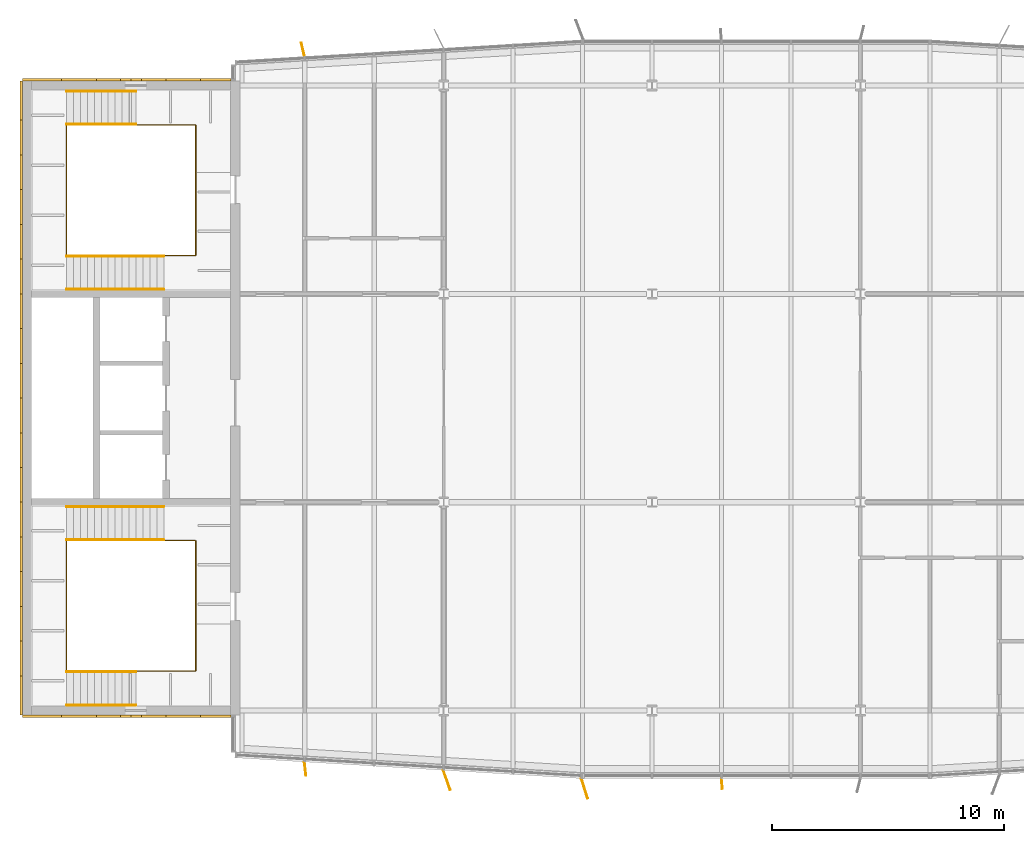
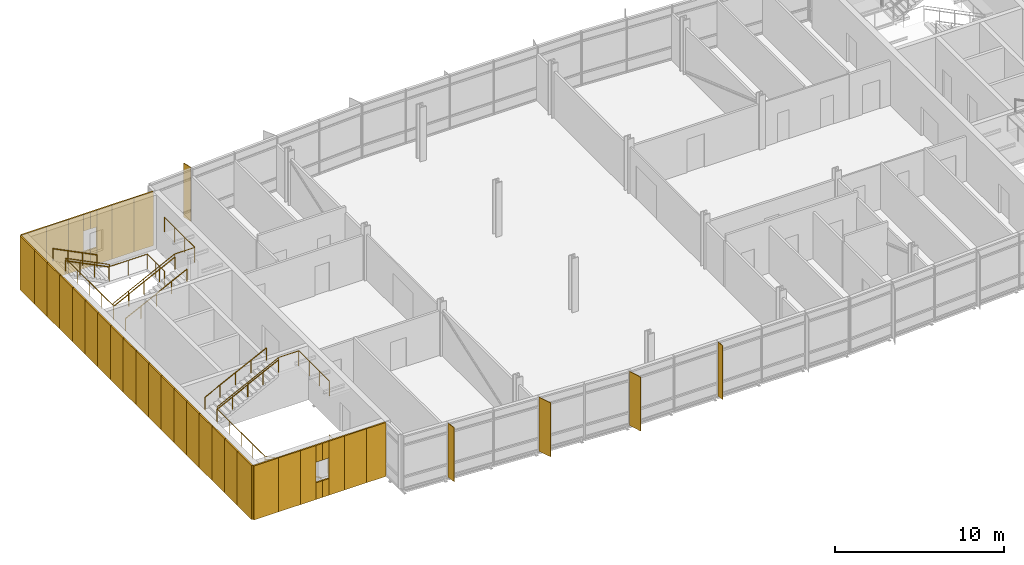
# One storey, part 19 of 21: 38 coverings, 10 railings, 5 shading devices.
"""IFC4 building model written with IfcOpenShell, lengths in metres."""

from ifc_helpers import new_model, si_unit, direction, frame, origin, origin_2d, place, context, subcontext, project, spatial, rectangle, circle, extrude, material, layer, layer_set, type_object, element, save


model = new_model("IFC4")

# Units and contexts
model_context = context("Model", 3, precision=1e-05, world=origin(), true_north=direction((0.0, 1.0)))
body_context = subcontext(model_context, "Body", "Model", "MODEL_VIEW")
ifc_project = project(units=[si_unit("LENGTHUNIT", "METRE"), si_unit("AREAUNIT", "SQUARE_METRE"), si_unit("VOLUMEUNIT", "CUBIC_METRE"), si_unit("PLANEANGLEUNIT", "RADIAN"), si_unit("MASSUNIT", "GRAM", prefix="KILO")], contexts=[model_context])

# Site, building, storey
site_placement = place(None, origin())
site = spatial("IfcSite", under=ifc_project, at=site_placement, CompositionType="ELEMENT")
building_placement = place(site_placement, origin())
building = spatial("IfcBuilding", under=site, at=building_placement, Name="Azimuth Sports and Learning Centre", CompositionType="ELEMENT")
storey_placement = place(building_placement, frame((0.0, 0.0, 32.39990234375)))
storey = spatial("IfcBuildingStorey", under=building, at=storey_placement, Name="L06", CompositionType="ELEMENT", Elevation=32.39990234375)

# Coverings
ifc_material_1 = material(Name="Cladding panel")
ifc_layer_1 = layer(ifc_material_1, 0.10009765625)
ifc_layer_set_1 = layer_set([ifc_layer_1], Name="Cladding panel")
covering_type = type_object("IfcCoveringType", Name="Cladding panel 100", PredefinedType="CLADDING", material=ifc_layer_set_1)
covering_1_placement = place(storey_placement, frame((54.64990234375, 89.75, 0.000244140625), z_axis=(0.0, 0.0, 1.0), x_axis=(1.0, 0.0, 0.0)))
element("IfcCovering", 1, at=covering_1_placement, inside=storey, type_object=covering_type, Name="Cladding panel S-CORE W L06 1", PredefinedType="CLADDING", context=body_context, shape_type="SweptSolid", body=[
    extrude(rectangle(XDim=1.699951171875, YDim=0.10009765625, at=origin_2d()), origin(), (0.0, 0.0, 1.0), 3.89990234375),
])
covering_2_placement = place(storey_placement, frame((56.25, 89.75, 0.000244140625), z_axis=(0.0, 0.0, 1.0), x_axis=(1.0, 0.0, 0.0)))
element("IfcCovering", 2, at=covering_2_placement, inside=storey, type_object=covering_type, Name="Cladding panel S-CORE W L06 2", PredefinedType="CLADDING", context=body_context, shape_type="SweptSolid", body=[
    extrude(rectangle(XDim=1.5, YDim=0.10009765625, at=origin_2d()), origin(), (0.0, 0.0, 1.0), 3.89990234375),
])
covering_3_placement = place(storey_placement, frame((57.52490234375, 89.75, 0.000244140625), z_axis=(0.0, 0.0, 1.0), x_axis=(1.0, 0.0, 0.0)))
element("IfcCovering", 3, at=covering_3_placement, inside=storey, type_object=covering_type, Name="Cladding panel S-CORE W L06 3", PredefinedType="CLADDING", context=body_context, shape_type="SweptSolid", body=[
    extrude(rectangle(XDim=1.050048828125, YDim=0.10009765625, at=origin_2d()), origin(), (0.0, 0.0, 1.0), 3.89990234375),
])
for number, where, z_axis, x_axis, name in (
    (4, (58.27490234375, 89.75, 0.0), (0.0, 0.0, 1.0), (1.0, 0.0, 0.0), "Cladding panel S-CORE W L06 4"),
    (5, (58.27490234375, 89.75, 2.7001953125), (0.0, 0.0, 1.0), (1.0, 0.0, 0.0), "Cladding panel S-CORE W L06 5"),
):
    element("IfcCovering", number, at=place(storey_placement, frame(where, z_axis=z_axis, x_axis=x_axis)), inside=storey, type_object=covering_type, Name=name, PredefinedType="CLADDING", context=body_context, shape_type="SweptSolid", body=[
        extrude(rectangle(XDim=0.449951171875, YDim=0.10009765625, at=origin_2d()), origin(), (0.0, 0.0, 1.0), 1.199951171875),
    ])
covering_4_placement = place(storey_placement, frame((59.47509765625, 89.75, 0.000244140625), z_axis=(0.0, 0.0, 1.0), x_axis=(1.0, 0.0, 0.0)))
element("IfcCovering", 6, at=covering_4_placement, inside=storey, type_object=covering_type, Name="Cladding panel S-CORE W L06 6", PredefinedType="CLADDING", context=body_context, shape_type="SweptSolid", body=[
    extrude(rectangle(XDim=1.050048828125, YDim=0.10009765625, at=origin_2d()), origin(), (0.0, 0.0, 1.0), 3.89990234375),
])
for number, where, z_axis, x_axis, name in (
    (7, (58.72509765625, 89.75, 0.0), (0.0, 0.0, 1.0), (1.0, 0.0, 0.0), "Cladding panel S-CORE W L06 7"),
    (8, (58.72509765625, 89.75, 2.7001953125), (0.0, 0.0, 1.0), (1.0, 0.0, 0.0), "Cladding panel S-CORE W L06 8"),
):
    element("IfcCovering", number, at=place(storey_placement, frame(where, z_axis=z_axis, x_axis=x_axis)), inside=storey, type_object=covering_type, Name=name, PredefinedType="CLADDING", context=body_context, shape_type="SweptSolid", body=[
        extrude(rectangle(XDim=0.449951171875, YDim=0.10009765625, at=origin_2d()), origin(), (0.0, 0.0, 1.0), 1.199951171875),
    ])
covering_5_placement = place(storey_placement, frame((60.75, 89.75, 0.000244140625), z_axis=(0.0, 0.0, 1.0), x_axis=(1.0, 0.0, 0.0)))
element("IfcCovering", 9, at=covering_5_placement, inside=storey, type_object=covering_type, Name="Cladding panel S-CORE W L06 9", PredefinedType="CLADDING", context=body_context, shape_type="SweptSolid", body=[
    extrude(rectangle(XDim=1.5, YDim=0.10009765625, at=origin_2d()), origin(), (0.0, 0.0, 1.0), 3.89990234375),
])
for number, where, z_axis, x_axis, name in (
    (10, (62.159912109375, 89.75, 0.000244140625), (0.0, 0.0, 1.0), (1.0, 0.0, 0.0), "Cladding panel S-CORE W L06 10"),
    (11, (62.159912109375, 117.25, 0.000244140625), (0.0, 0.0, 1.0), (-1.0, 0.0, 0.0), "Cladding panel N-CORE W L06 1"),
):
    element("IfcCovering", number, at=place(storey_placement, frame(where, z_axis=z_axis, x_axis=x_axis)), inside=storey, type_object=covering_type, Name=name, PredefinedType="CLADDING", context=body_context, shape_type="SweptSolid", body=[
        extrude(rectangle(XDim=1.320068359375, YDim=0.10009765625, at=origin_2d()), origin(), (0.0, 0.0, 1.0), 3.89990234375),
    ])
covering_6_placement = place(storey_placement, frame((60.75, 117.25, 0.000244140625), z_axis=(0.0, 0.0, 1.0), x_axis=(-1.0, 0.0, 0.0)))
element("IfcCovering", 12, at=covering_6_placement, inside=storey, type_object=covering_type, Name="Cladding panel N-CORE W L06 2", PredefinedType="CLADDING", context=body_context, shape_type="SweptSolid", body=[
    extrude(rectangle(XDim=1.5, YDim=0.10009765625, at=origin_2d()), origin(), (0.0, 0.0, 1.0), 3.89990234375),
])
covering_7_placement = place(storey_placement, frame((59.47509765625, 117.25, 0.000244140625), z_axis=(0.0, 0.0, 1.0), x_axis=(-1.0, 0.0, 0.0)))
element("IfcCovering", 13, at=covering_7_placement, inside=storey, type_object=covering_type, Name="Cladding panel N-CORE W L06 3", PredefinedType="CLADDING", context=body_context, shape_type="SweptSolid", body=[
    extrude(rectangle(XDim=1.050048828125, YDim=0.10009765625, at=origin_2d()), origin(), (0.0, 0.0, 1.0), 3.89990234375),
])
for number, where, z_axis, x_axis, name in (
    (14, (58.72509765625, 117.25, 0.0), (0.0, 0.0, 1.0), (-1.0, 0.0, 0.0), "Cladding panel N-CORE W L06 4"),
    (15, (58.72509765625, 117.25, 2.7001953125), (0.0, 0.0, 1.0), (-1.0, 0.0, 0.0), "Cladding panel N-CORE W L06 5"),
):
    element("IfcCovering", number, at=place(storey_placement, frame(where, z_axis=z_axis, x_axis=x_axis)), inside=storey, type_object=covering_type, Name=name, PredefinedType="CLADDING", context=body_context, shape_type="SweptSolid", body=[
        extrude(rectangle(XDim=0.449951171875, YDim=0.10009765625, at=origin_2d()), origin(), (0.0, 0.0, 1.0), 1.199951171875),
    ])
covering_8_placement = place(storey_placement, frame((57.52490234375, 117.25, 0.000244140625), z_axis=(0.0, 0.0, 1.0), x_axis=(-1.0, 0.0, 0.0)))
element("IfcCovering", 16, at=covering_8_placement, inside=storey, type_object=covering_type, Name="Cladding panel N-CORE W L06 6", PredefinedType="CLADDING", context=body_context, shape_type="SweptSolid", body=[
    extrude(rectangle(XDim=1.050048828125, YDim=0.10009765625, at=origin_2d()), origin(), (0.0, 0.0, 1.0), 3.89990234375),
])
for number, where, z_axis, x_axis, name in (
    (17, (58.27490234375, 117.25, 0.0), (0.0, 0.0, 1.0), (-1.0, 0.0, 0.0), "Cladding panel N-CORE W L06 7"),
    (18, (58.27490234375, 117.25, 2.7001953125), (0.0, 0.0, 1.0), (-1.0, 0.0, 0.0), "Cladding panel N-CORE W L06 8"),
):
    element("IfcCovering", number, at=place(storey_placement, frame(where, z_axis=z_axis, x_axis=x_axis)), inside=storey, type_object=covering_type, Name=name, PredefinedType="CLADDING", context=body_context, shape_type="SweptSolid", body=[
        extrude(rectangle(XDim=0.449951171875, YDim=0.10009765625, at=origin_2d()), origin(), (0.0, 0.0, 1.0), 1.199951171875),
    ])
covering_9_placement = place(storey_placement, frame((56.25, 117.25, 0.000244140625), z_axis=(0.0, 0.0, 1.0), x_axis=(-1.0, 0.0, 0.0)))
element("IfcCovering", 19, at=covering_9_placement, inside=storey, type_object=covering_type, Name="Cladding panel N-CORE W L06 9", PredefinedType="CLADDING", context=body_context, shape_type="SweptSolid", body=[
    extrude(rectangle(XDim=1.5, YDim=0.10009765625, at=origin_2d()), origin(), (0.0, 0.0, 1.0), 3.89990234375),
])
for number, where, z_axis, x_axis, name in (
    (20, (54.64990234375, 117.25, 0.000244140625), (0.0, 0.0, 1.0), (-1.0, 0.0, 0.0), "Cladding panel N-CORE W L06 10"),
    (21, (53.75, 116.35009765625, 0.000244140625), (0.0, 0.0, 1.0), (0.0, -1.0, 0.0), "Cladding panel W-CORE W L06 1"),
):
    element("IfcCovering", number, at=place(storey_placement, frame(where, z_axis=z_axis, x_axis=x_axis)), inside=storey, type_object=covering_type, Name=name, PredefinedType="CLADDING", context=body_context, shape_type="SweptSolid", body=[
        extrude(rectangle(XDim=1.699951171875, YDim=0.10009765625, at=origin_2d()), origin(), (0.0, 0.0, 1.0), 3.89990234375),
    ])
for number, where, z_axis, x_axis, name in (
    (22, (53.75, 114.75, 0.000244140625), (0.0, 0.0, 1.0), (0.0, -1.0, 0.0), "Cladding panel W-CORE W L06 2"),
    (23, (53.75, 113.25, 0.000244140625), (0.0, 0.0, 1.0), (0.0, -1.0, 0.0), "Cladding panel W-CORE W L06 3"),
    (24, (53.75, 111.75, 0.000244140625), (0.0, 0.0, 1.0), (0.0, -1.0, 0.0), "Cladding panel W-CORE W L06 4"),
    (25, (53.75, 110.25, 0.000244140625), (0.0, 0.0, 1.0), (0.0, -1.0, 0.0), "Cladding panel W-CORE W L06 5"),
    (26, (53.75, 108.75, 0.000244140625), (0.0, 0.0, 1.0), (0.0, -1.0, 0.0), "Cladding panel W-CORE W L06 6"),
    (27, (53.75, 107.25, 0.000244140625), (0.0, 0.0, 1.0), (0.0, -1.0, 0.0), "Cladding panel W-CORE W L06 7"),
    (28, (53.75, 105.75, 0.000244140625), (0.0, 0.0, 1.0), (0.0, -1.0, 0.0), "Cladding panel W-CORE W L06 8"),
    (29, (53.75, 104.25, 0.000244140625), (0.0, 0.0, 1.0), (0.0, -1.0, 0.0), "Cladding panel W-CORE W L06 9"),
    (30, (53.75, 102.75, 0.000244140625), (0.0, 0.0, 1.0), (0.0, -1.0, 0.0), "Cladding panel W-CORE W L06 10"),
    (31, (53.75, 101.25, 0.000244140625), (0.0, 0.0, 1.0), (0.0, -1.0, 0.0), "Cladding panel W-CORE W L06 11"),
    (32, (53.75, 99.75, 0.000244140625), (0.0, 0.0, 1.0), (0.0, -1.0, 0.0), "Cladding panel W-CORE W L06 12"),
    (33, (53.75, 98.25, 0.000244140625), (0.0, 0.0, 1.0), (0.0, -1.0, 0.0), "Cladding panel W-CORE W L06 13"),
    (34, (53.75, 96.75, 0.000244140625), (0.0, 0.0, 1.0), (0.0, -1.0, 0.0), "Cladding panel W-CORE W L06 14"),
    (35, (53.75, 95.25, 0.000244140625), (0.0, 0.0, 1.0), (0.0, -1.0, 0.0), "Cladding panel W-CORE W L06 15"),
    (36, (53.75, 93.75, 0.000244140625), (0.0, 0.0, 1.0), (0.0, -1.0, 0.0), "Cladding panel W-CORE W L06 16"),
    (37, (53.75, 92.25, 0.000244140625), (0.0, 0.0, 1.0), (0.0, -1.0, 0.0), "Cladding panel W-CORE W L06 17"),
):
    element("IfcCovering", number, at=place(storey_placement, frame(where, z_axis=z_axis, x_axis=x_axis)), inside=storey, type_object=covering_type, Name=name, PredefinedType="CLADDING", context=body_context, shape_type="SweptSolid", body=[
        extrude(rectangle(XDim=1.5, YDim=0.10009765625, at=origin_2d()), origin(), (0.0, 0.0, 1.0), 3.89990234375),
    ])
covering_10_placement = place(storey_placement, frame((53.75, 90.64990234375, 0.000244140625), z_axis=(0.0, 0.0, 1.0), x_axis=(0.0, -1.0, 0.0)))
element("IfcCovering", 38, at=covering_10_placement, inside=storey, type_object=covering_type, Name="Cladding panel W-CORE W L06 18", PredefinedType="CLADDING", context=body_context, shape_type="SweptSolid", body=[
    extrude(rectangle(XDim=1.699951171875, YDim=0.10009765625, at=origin_2d()), origin(), (0.0, 0.0, 1.0), 3.89990234375),
])

# Shading devices
ifc_material_2 = material(Name="Aluminium", Category="aluminium")
ifc_layer_2 = layer(ifc_material_2, 0.0400390625)
ifc_layer_set_2 = layer_set([ifc_layer_2], Name="Aluminium")
shading_device_type_1 = type_object("IfcShadingDeviceType", Name="Shading fin 450", PredefinedType="JALOUSIE", material=ifc_layer_set_2)
shading_device_placement = place(storey_placement, frame((84.01953125, 86.8359375, 0.000244140625), z_axis=(0.0, 0.0, 1.0), x_axis=(0.086979796274, -0.996210075757, 0.0)))
element("IfcShadingDevice", 39, at=shading_device_placement, inside=storey, type_object=shading_device_type_1, Name="Shading fin F06-004", PredefinedType="JALOUSIE", context=body_context, shape_type="SweptSolid", body=[
    extrude(rectangle(XDim=0.449951171875, YDim=0.0400390625, at=origin_2d()), origin(), (0.0, 0.0, 1.0), 3.89990234375),
])
ifc_material_3 = material(Name="Aluminium", Category="aluminium")
ifc_layer_3 = layer(ifc_material_3, 0.0400390625)
ifc_layer_set_3 = layer_set([ifc_layer_3], Name="Aluminium")
shading_device_type_2 = type_object("IfcShadingDeviceType", Name="Shading fin 600", PredefinedType="JALOUSIE", material=ifc_layer_set_3)
for number, where, z_axis, x_axis, name in (
    (40, (66.018798828125, 87.482177734375, 0.000244140625), (0.0, 0.0, 1.0), (0.110221187796, -0.993907083062, 0.0), "Shading fin F06-001"),
    (41, (65.920654296875, 118.5517578125, 0.000244140625), (0.0, 0.0, 1.0), (-0.228270881104, 0.973597660659, 0.0), "Shading fin F06-014"),
):
    element("IfcShadingDevice", number, at=place(storey_placement, frame(where, z_axis=z_axis, x_axis=x_axis)), inside=storey, type_object=shading_device_type_2, Name=name, PredefinedType="JALOUSIE", context=body_context, shape_type="SweptSolid", body=[
        extrude(rectangle(XDim=0.60009765625, YDim=0.0400390625, at=origin_2d()), origin(), (0.0, 0.0, 1.0), 3.89990234375),
    ])
ifc_material_4 = material(Name="Aluminium", Category="aluminium")
ifc_layer_4 = layer(ifc_material_4, 0.0400390625)
ifc_layer_set_4 = layer_set([ifc_layer_4], Name="Aluminium")
shading_device_type_3 = type_object("IfcShadingDeviceType", Name="Shading fin 900", PredefinedType="JALOUSIE", material=ifc_layer_set_4)
for number, where, z_axis, x_axis, name in (
    (42, (72.135009765625, 86.995849609375, 0.000244140625), (0.0, 0.0, 1.0), (0.332025201964, -0.94327051542, 0.0), "Shading fin F06-002"),
    (43, (78.0849609375, 86.633056640625, 0.000244140625), (0.0, 0.0, 1.0), (0.298224547315, -0.954495740891, 0.0), "Shading fin F06-003"),
):
    element("IfcShadingDevice", number, at=place(storey_placement, frame(where, z_axis=z_axis, x_axis=x_axis)), inside=storey, type_object=shading_device_type_3, Name=name, PredefinedType="JALOUSIE", context=body_context, shape_type="SweptSolid", body=[
        extrude(rectangle(XDim=0.89990234375, YDim=0.0400390625, at=origin_2d()), origin(), (0.0, 0.0, 1.0), 3.89990234375),
    ])

# Railings
ifc_material_5 = material(Name="Stainless steel", Category="steel")
railing_type_1 = type_object("IfcRailingType", Name="Stair guard 1100", PredefinedType="GUARDRAIL", material=ifc_material_5)
railing_1_placement = place(storey_placement, frame((61.2900390625, 93.75, 0.0)))
element("IfcRailing", 44, at=railing_1_placement, inside=storey, type_object=railing_type_1, Name="Guard W1 L06 well", PredefinedType="GUARDRAIL", context=body_context, shape_type="SweptSolid", body=[
    extrude(circle(Radius=0.02392578125, at=origin_2d()), frame((0.0, 0.0, 1.076171875), z_axis=(0.0, -1.0, 0.0), x_axis=(1.0, 0.0, 0.0)), (0.0, 0.0, 1.0), 2.0400390625),
    extrude(circle(Radius=0.02392578125, at=origin_2d()), frame((0.0, -2.0400390625, 1.076171875), z_axis=(-1.0, 0.0, 0.0), x_axis=(0.0, -1.0, 0.0)), (0.0, 0.0, 1.0), 2.580078125),
    extrude(circle(Radius=0.02392578125, at=origin_2d()), frame((-2.580078125, -2.0400390625, 1.076171875), z_axis=(0.0, 0.0, 1.0), x_axis=(1.0, 0.0, 0.0)), (0.0, 0.0, 1.0), 0.150146484375),
    extrude(circle(Radius=0.02392578125, at=origin_2d()), frame((-2.580078125, -2.0400390625, 1.22607421875), z_axis=(-0.894427191, 0.0, 0.4472135955), x_axis=(0.0, -1.0, 0.0)), (0.0, 0.0, 1.0), 3.35400390625),
    extrude(circle(Radius=0.02392578125, at=origin_2d()), frame((-5.580078125, -2.0400390625, 2.72607421875), z_axis=(0.0, 1.0, 0.0), x_axis=(-1.0, 0.0, 0.0)), (0.0, 0.0, 1.0), 5.630126953125),
    extrude(circle(Radius=0.02392578125, at=origin_2d()), frame((-5.580078125, 3.590087890625, 2.72607421875), z_axis=(0.0, 0.0, 1.0), x_axis=(1.0, 0.0, 0.0)), (0.0, 0.0, 1.0), 0.14990234375),
    extrude(circle(Radius=0.02392578125, at=origin_2d()), frame((-5.580078125, 3.590087890625, 2.8759765625), z_axis=(0.894416792377, 0.0, 0.447234392142), x_axis=(0.0, 1.0, 0.0)), (0.0, 0.0, 1.0), 4.69580078125),
    extrude(circle(Radius=0.02392578125, at=origin_2d()), frame((-1.380126953125, 3.590087890625, 4.97607421875), z_axis=(1.0, 0.0, 0.0), x_axis=(0.0, 1.0, 0.0)), (0.0, 0.0, 1.0), 1.380126953125),
    extrude(circle(Radius=0.02392578125, at=origin_2d()), frame((0.0, 3.590087890625, 4.97607421875), z_axis=(0.0, -1.0, 0.0), x_axis=(1.0, 0.0, 0.0)), (0.0, 0.0, 1.0), 3.590087890625),
    extrude(circle(Radius=0.01611328125, at=origin_2d()), origin(), (0.0, 0.0, 1.0), 1.052001953125),
    extrude(circle(Radius=0.01611328125, at=origin_2d()), frame((0.0, -1.02001953125, 0.0)), (0.0, 0.0, 1.0), 1.052001953125),
    extrude(circle(Radius=0.01611328125, at=origin_2d()), frame((0.0, -2.0400390625, 0.0)), (0.0, 0.0, 1.0), 1.052001953125),
    extrude(circle(Radius=0.01611328125, at=origin_2d()), frame((-1.2900390625, -2.0400390625, 0.0)), (0.0, 0.0, 1.0), 1.052001953125),
    extrude(circle(Radius=0.01611328125, at=origin_2d()), frame((-2.580078125, -2.0400390625, 0.0)), (0.0, 0.0, 1.0), 1.052001953125),
    extrude(circle(Radius=0.01611328125, at=origin_2d()), frame((-2.580078125, -2.0400390625, 0.150146484375)), (0.0, 0.0, 1.0), 1.052001953125),
    extrude(circle(Radius=0.01611328125, at=origin_2d()), frame((-3.580078125, -2.0400390625, 0.650146484375)), (0.0, 0.0, 1.0), 1.052001953125),
    extrude(circle(Radius=0.01611328125, at=origin_2d()), frame((-4.580078125, -2.0400390625, 1.150146484375)), (0.0, 0.0, 1.0), 1.052001953125),
    extrude(circle(Radius=0.01611328125, at=origin_2d()), frame((-5.580078125, -2.0400390625, 1.650146484375)), (0.0, 0.0, 1.0), 1.052001953125),
    extrude(circle(Radius=0.01611328125, at=origin_2d()), frame((-5.580078125, -0.632568359375, 1.650146484375)), (0.0, 0.0, 1.0), 1.052001953125),
    extrude(circle(Radius=0.01611328125, at=origin_2d()), frame((-5.580078125, 0.77490234375, 1.650146484375)), (0.0, 0.0, 1.0), 1.052001953125),
    extrude(circle(Radius=0.01611328125, at=origin_2d()), frame((-5.580078125, 2.1826171875, 1.650146484375)), (0.0, 0.0, 1.0), 1.052001953125),
    extrude(circle(Radius=0.01611328125, at=origin_2d()), frame((-5.580078125, 3.590087890625, 1.650146484375)), (0.0, 0.0, 1.0), 1.052001953125),
    extrude(circle(Radius=0.01611328125, at=origin_2d()), frame((-5.580078125, 3.590087890625, 1.800048828125)), (0.0, 0.0, 1.0), 1.052001953125),
    extrude(circle(Radius=0.01611328125, at=origin_2d()), frame((-4.530029296875, 3.590087890625, 2.3251953125)), (0.0, 0.0, 1.0), 1.052001953125),
    extrude(circle(Radius=0.01611328125, at=origin_2d()), frame((-3.47998046875, 3.590087890625, 2.85009765625)), (0.0, 0.0, 1.0), 1.052001953125),
    extrude(circle(Radius=0.01611328125, at=origin_2d()), frame((-2.43017578125, 3.590087890625, 3.375)), (0.0, 0.0, 1.0), 1.052001953125),
    extrude(circle(Radius=0.01611328125, at=origin_2d()), frame((-1.380126953125, 3.590087890625, 3.900146484375)), (0.0, 0.0, 1.0), 1.052001953125),
    extrude(circle(Radius=0.01611328125, at=origin_2d()), frame((0.0, 3.590087890625, 3.900146484375)), (0.0, 0.0, 1.0), 1.052001953125),
    extrude(circle(Radius=0.01611328125, at=origin_2d()), frame((0.0, 2.393310546875, 3.900146484375)), (0.0, 0.0, 1.0), 1.052001953125),
    extrude(circle(Radius=0.01611328125, at=origin_2d()), frame((0.0, 1.19677734375, 3.900146484375)), (0.0, 0.0, 1.0), 1.052001953125),
    extrude(circle(Radius=0.01611328125, at=origin_2d()), frame((0.0, 0.0, 3.900146484375)), (0.0, 0.0, 1.0), 1.052001953125),
])
railing_2_placement = place(storey_placement, frame((61.2900390625, 113.25, 0.0)))
element("IfcRailing", 45, at=railing_2_placement, inside=storey, type_object=railing_type_1, Name="Guard W2 L06 well", PredefinedType="GUARDRAIL", context=body_context, shape_type="SweptSolid", body=[
    extrude(circle(Radius=0.02392578125, at=origin_2d()), frame((0.0, 0.0, 1.076171875), z_axis=(0.0, 1.0, 0.0), x_axis=(-1.0, 0.0, 0.0)), (0.0, 0.0, 1.0), 2.0400390625),
    extrude(circle(Radius=0.02392578125, at=origin_2d()), frame((0.0, 2.0400390625, 1.076171875), z_axis=(-1.0, 0.0, 0.0), x_axis=(0.0, -1.0, 0.0)), (0.0, 0.0, 1.0), 2.580078125),
    extrude(circle(Radius=0.02392578125, at=origin_2d()), frame((-2.580078125, 2.0400390625, 1.076171875), z_axis=(0.0, 0.0, 1.0), x_axis=(1.0, 0.0, 0.0)), (0.0, 0.0, 1.0), 0.150146484375),
    extrude(circle(Radius=0.02392578125, at=origin_2d()), frame((-2.580078125, 2.0400390625, 1.22607421875), z_axis=(-0.894427191, 0.0, 0.4472135955), x_axis=(0.0, -1.0, 0.0)), (0.0, 0.0, 1.0), 3.35400390625),
    extrude(circle(Radius=0.02392578125, at=origin_2d()), frame((-5.580078125, 2.0400390625, 2.72607421875), z_axis=(0.0, -1.0, 0.0), x_axis=(1.0, 0.0, 0.0)), (0.0, 0.0, 1.0), 5.630126953125),
    extrude(circle(Radius=0.02392578125, at=origin_2d()), frame((-5.580078125, -3.590087890625, 2.72607421875), z_axis=(0.0, 0.0, 1.0), x_axis=(1.0, 0.0, 0.0)), (0.0, 0.0, 1.0), 0.14990234375),
    extrude(circle(Radius=0.02392578125, at=origin_2d()), frame((-5.580078125, -3.590087890625, 2.8759765625), z_axis=(0.894416792377, 0.0, 0.447234392142), x_axis=(0.0, 1.0, 0.0)), (0.0, 0.0, 1.0), 4.69580078125),
    extrude(circle(Radius=0.02392578125, at=origin_2d()), frame((-1.380126953125, -3.590087890625, 4.97607421875), z_axis=(1.0, 0.0, 0.0), x_axis=(0.0, 1.0, 0.0)), (0.0, 0.0, 1.0), 1.380126953125),
    extrude(circle(Radius=0.02392578125, at=origin_2d()), frame((0.0, -3.590087890625, 4.97607421875), z_axis=(0.0, 1.0, 0.0), x_axis=(-1.0, 0.0, 0.0)), (0.0, 0.0, 1.0), 3.590087890625),
    extrude(circle(Radius=0.01611328125, at=origin_2d()), origin(), (0.0, 0.0, 1.0), 1.052001953125),
    extrude(circle(Radius=0.01611328125, at=origin_2d()), frame((0.0, 1.02001953125, 0.0)), (0.0, 0.0, 1.0), 1.052001953125),
    extrude(circle(Radius=0.01611328125, at=origin_2d()), frame((0.0, 2.0400390625, 0.0)), (0.0, 0.0, 1.0), 1.052001953125),
    extrude(circle(Radius=0.01611328125, at=origin_2d()), frame((-1.2900390625, 2.0400390625, 0.0)), (0.0, 0.0, 1.0), 1.052001953125),
    extrude(circle(Radius=0.01611328125, at=origin_2d()), frame((-2.580078125, 2.0400390625, 0.0)), (0.0, 0.0, 1.0), 1.052001953125),
    extrude(circle(Radius=0.01611328125, at=origin_2d()), frame((-2.580078125, 2.0400390625, 0.150146484375)), (0.0, 0.0, 1.0), 1.052001953125),
    extrude(circle(Radius=0.01611328125, at=origin_2d()), frame((-3.580078125, 2.0400390625, 0.650146484375)), (0.0, 0.0, 1.0), 1.052001953125),
    extrude(circle(Radius=0.01611328125, at=origin_2d()), frame((-4.580078125, 2.0400390625, 1.150146484375)), (0.0, 0.0, 1.0), 1.052001953125),
    extrude(circle(Radius=0.01611328125, at=origin_2d()), frame((-5.580078125, 2.0400390625, 1.650146484375)), (0.0, 0.0, 1.0), 1.052001953125),
    extrude(circle(Radius=0.01611328125, at=origin_2d()), frame((-5.580078125, 0.632568359375, 1.650146484375)), (0.0, 0.0, 1.0), 1.052001953125),
    extrude(circle(Radius=0.01611328125, at=origin_2d()), frame((-5.580078125, -0.77490234375, 1.650146484375)), (0.0, 0.0, 1.0), 1.052001953125),
    extrude(circle(Radius=0.01611328125, at=origin_2d()), frame((-5.580078125, -2.1826171875, 1.650146484375)), (0.0, 0.0, 1.0), 1.052001953125),
    extrude(circle(Radius=0.01611328125, at=origin_2d()), frame((-5.580078125, -3.590087890625, 1.650146484375)), (0.0, 0.0, 1.0), 1.052001953125),
    extrude(circle(Radius=0.01611328125, at=origin_2d()), frame((-5.580078125, -3.590087890625, 1.800048828125)), (0.0, 0.0, 1.0), 1.052001953125),
    extrude(circle(Radius=0.01611328125, at=origin_2d()), frame((-4.530029296875, -3.590087890625, 2.3251953125)), (0.0, 0.0, 1.0), 1.052001953125),
    extrude(circle(Radius=0.01611328125, at=origin_2d()), frame((-3.47998046875, -3.590087890625, 2.85009765625)), (0.0, 0.0, 1.0), 1.052001953125),
    extrude(circle(Radius=0.01611328125, at=origin_2d()), frame((-2.43017578125, -3.590087890625, 3.375)), (0.0, 0.0, 1.0), 1.052001953125),
    extrude(circle(Radius=0.01611328125, at=origin_2d()), frame((-1.380126953125, -3.590087890625, 3.900146484375)), (0.0, 0.0, 1.0), 1.052001953125),
    extrude(circle(Radius=0.01611328125, at=origin_2d()), frame((0.0, -3.590087890625, 3.900146484375)), (0.0, 0.0, 1.0), 1.052001953125),
    extrude(circle(Radius=0.01611328125, at=origin_2d()), frame((0.0, -2.393310546875, 3.900146484375)), (0.0, 0.0, 1.0), 1.052001953125),
    extrude(circle(Radius=0.01611328125, at=origin_2d()), frame((0.0, -1.19677734375, 3.900146484375)), (0.0, 0.0, 1.0), 1.052001953125),
    extrude(circle(Radius=0.01611328125, at=origin_2d()), frame((0.0, 0.0, 3.900146484375)), (0.0, 0.0, 1.0), 1.052001953125),
])
ifc_material_6 = material(Name="Stainless steel", Category="steel")
railing_type_2 = type_object("IfcRailingType", Name="Stair handrail 42", PredefinedType="HANDRAIL", material=ifc_material_6)
for number, where, name in (
    (46, (58.7099609375, 91.679931640625, 0.150146484375), "Handrail W1 L06 flight 1 inner"),
    (47, (58.7099609375, 90.239990234375, 0.150146484375), "Handrail W1 L06 flight 1 outer"),
):
    element("IfcRailing", number, at=place(storey_placement, frame(where)), inside=storey, type_object=railing_type_2, Name=name, PredefinedType="HANDRAIL", context=body_context, shape_type="SweptSolid", body=[
        extrude(circle(Radius=0.02099609375, at=origin_2d()), frame((0.0, 0.0, 0.87890625), z_axis=(-0.894427191, 0.0, 0.4472135955), x_axis=(0.0, -1.0, 0.0)), (0.0, 0.0, 1.0), 3.35400390625),
        extrude(circle(Radius=0.01611328125, at=origin_2d()), origin(), (0.0, 0.0, 1.0), 0.85791015625),
        extrude(circle(Radius=0.01611328125, at=origin_2d()), frame((-1.0, 0.0, 0.5)), (0.0, 0.0, 1.0), 0.85791015625),
        extrude(circle(Radius=0.01611328125, at=origin_2d()), frame((-2.0, 0.0, 1.0)), (0.0, 0.0, 1.0), 0.85791015625),
        extrude(circle(Radius=0.01611328125, at=origin_2d()), frame((-3.0, 0.0, 1.5)), (0.0, 0.0, 1.0), 0.85791015625),
    ])
for number, where, name in (
    (48, (55.7099609375, 97.3701171875, 1.800048828125), "Handrail W1 L06 flight 2 inner"),
    (49, (55.7099609375, 98.81005859375, 1.800048828125), "Handrail W1 L06 flight 2 outer"),
):
    element("IfcRailing", number, at=place(storey_placement, frame(where)), inside=storey, type_object=railing_type_2, Name=name, PredefinedType="HANDRAIL", context=body_context, shape_type="SweptSolid", body=[
        extrude(circle(Radius=0.02099609375, at=origin_2d()), frame((0.0, 0.0, 0.87890625), z_axis=(0.894416792377, 0.0, 0.447234392142), x_axis=(0.0, 1.0, 0.0)), (0.0, 0.0, 1.0), 4.69580078125),
        extrude(circle(Radius=0.01611328125, at=origin_2d()), origin(), (0.0, 0.0, 1.0), 0.85791015625),
        extrude(circle(Radius=0.01611328125, at=origin_2d()), frame((1.050048828125, 0.0, 0.52490234375)), (0.0, 0.0, 1.0), 0.85791015625),
        extrude(circle(Radius=0.01611328125, at=origin_2d()), frame((2.10009765625, 0.0, 1.050048828125)), (0.0, 0.0, 1.0), 0.85791015625),
        extrude(circle(Radius=0.01611328125, at=origin_2d()), frame((3.14990234375, 0.0, 1.5751953125)), (0.0, 0.0, 1.0), 0.85791015625),
        extrude(circle(Radius=0.01611328125, at=origin_2d()), frame((4.199951171875, 0.0, 2.10009765625)), (0.0, 0.0, 1.0), 0.85791015625),
    ])
for number, where, name in (
    (50, (58.7099609375, 115.320068359375, 0.150146484375), "Handrail W2 L06 flight 1 inner"),
    (51, (58.7099609375, 116.760009765625, 0.150146484375), "Handrail W2 L06 flight 1 outer"),
):
    element("IfcRailing", number, at=place(storey_placement, frame(where)), inside=storey, type_object=railing_type_2, Name=name, PredefinedType="HANDRAIL", context=body_context, shape_type="SweptSolid", body=[
        extrude(circle(Radius=0.02099609375, at=origin_2d()), frame((0.0, 0.0, 0.87890625), z_axis=(-0.894427191, 0.0, 0.4472135955), x_axis=(0.0, -1.0, 0.0)), (0.0, 0.0, 1.0), 3.35400390625),
        extrude(circle(Radius=0.01611328125, at=origin_2d()), origin(), (0.0, 0.0, 1.0), 0.85791015625),
        extrude(circle(Radius=0.01611328125, at=origin_2d()), frame((-1.0, 0.0, 0.5)), (0.0, 0.0, 1.0), 0.85791015625),
        extrude(circle(Radius=0.01611328125, at=origin_2d()), frame((-2.0, 0.0, 1.0)), (0.0, 0.0, 1.0), 0.85791015625),
        extrude(circle(Radius=0.01611328125, at=origin_2d()), frame((-3.0, 0.0, 1.5)), (0.0, 0.0, 1.0), 0.85791015625),
    ])
for number, where, name in (
    (52, (55.7099609375, 109.6298828125, 1.800048828125), "Handrail W2 L06 flight 2 inner"),
    (53, (55.7099609375, 108.18994140625, 1.800048828125), "Handrail W2 L06 flight 2 outer"),
):
    element("IfcRailing", number, at=place(storey_placement, frame(where)), inside=storey, type_object=railing_type_2, Name=name, PredefinedType="HANDRAIL", context=body_context, shape_type="SweptSolid", body=[
        extrude(circle(Radius=0.02099609375, at=origin_2d()), frame((0.0, 0.0, 0.87890625), z_axis=(0.894416792377, 0.0, 0.447234392142), x_axis=(0.0, 1.0, 0.0)), (0.0, 0.0, 1.0), 4.69580078125),
        extrude(circle(Radius=0.01611328125, at=origin_2d()), origin(), (0.0, 0.0, 1.0), 0.85791015625),
        extrude(circle(Radius=0.01611328125, at=origin_2d()), frame((1.050048828125, 0.0, 0.52490234375)), (0.0, 0.0, 1.0), 0.85791015625),
        extrude(circle(Radius=0.01611328125, at=origin_2d()), frame((2.10009765625, 0.0, 1.050048828125)), (0.0, 0.0, 1.0), 0.85791015625),
        extrude(circle(Radius=0.01611328125, at=origin_2d()), frame((3.14990234375, 0.0, 1.5751953125)), (0.0, 0.0, 1.0), 0.85791015625),
        extrude(circle(Radius=0.01611328125, at=origin_2d()), frame((4.199951171875, 0.0, 2.10009765625)), (0.0, 0.0, 1.0), 0.85791015625),
    ])

save(model, "model.ifc")
